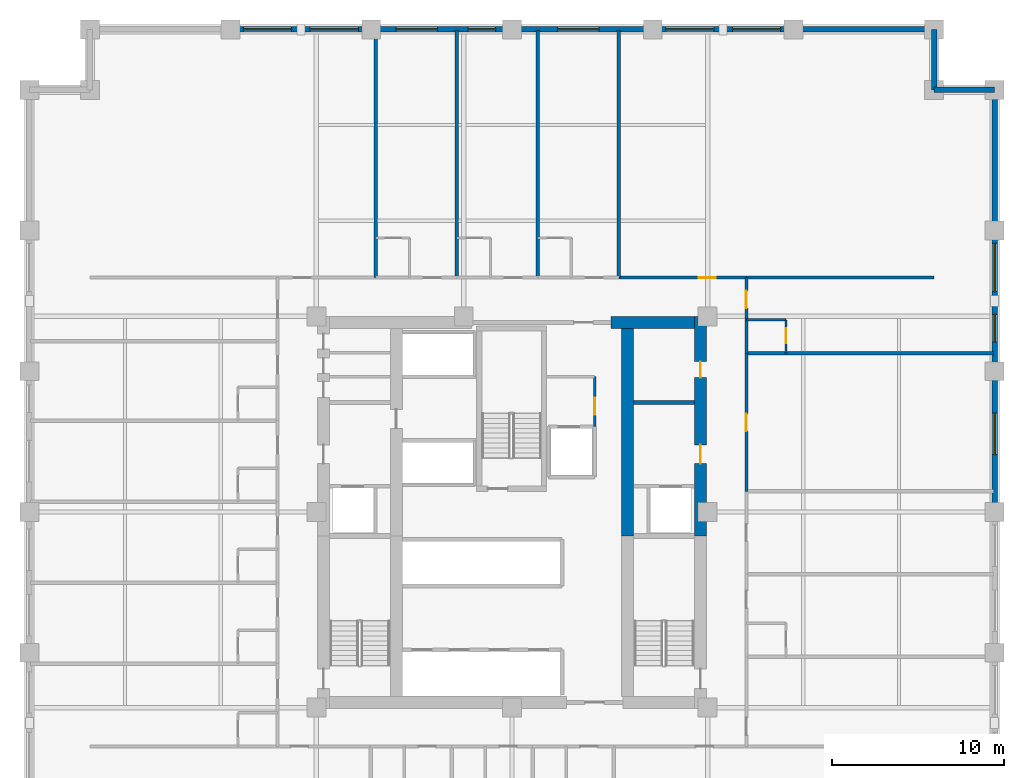
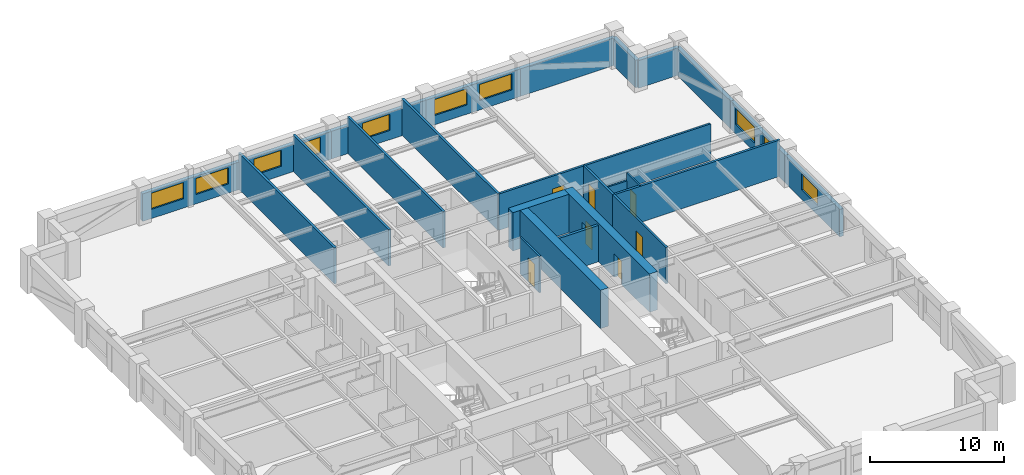
# One storey, part 6 of 8: 25 walls, 10 windows, 7 doors, 17 openings.
"""IFC4 building model written with IfcOpenShell, lengths in metres."""

from ifc_helpers import new_model, si_unit, direction, frame, frame_2d, origin, place, context, subcontext, project, spatial, rectangle, extrude, material, layer, layer_set, type_object, element, fill, save


model = new_model("IFC4")

# Units and contexts
model_context = context("Model", 3, precision=1e-05, world=origin(), true_north=direction((0.0, 1.0)))
body_context = subcontext(model_context, "Body", "Model", "MODEL_VIEW")
ifc_project = project(units=[si_unit("LENGTHUNIT", "METRE"), si_unit("AREAUNIT", "SQUARE_METRE"), si_unit("VOLUMEUNIT", "CUBIC_METRE"), si_unit("PLANEANGLEUNIT", "RADIAN"), si_unit("MASSUNIT", "GRAM", prefix="KILO")], contexts=[model_context])

# Site, building, storey
site_placement = place(None, origin())
site = spatial("IfcSite", under=ifc_project, at=site_placement, CompositionType="ELEMENT")
building_placement = place(site_placement, origin())
building = spatial("IfcBuilding", under=site, at=building_placement, Name="Nhamokura Convention Tower", CompositionType="ELEMENT")
storey_placement = place(building_placement, frame((0.0, 0.0, 45.85009765625)))
storey = spatial("IfcBuildingStorey", under=building, at=storey_placement, Name="L09", CompositionType="ELEMENT", Elevation=45.85009765625)

# Wall
ifc_material_1 = material(Name="Moisture-resistant tile-backer partition", Category="masonry")
ifc_layer_1 = layer(ifc_material_1, 0.139892578125)
ifc_layer_set_1 = layer_set([ifc_layer_1], Name="BathroomWetWall_140")
wall_type_1 = type_object("IfcWallType", Name="BathroomWetWall_140", PredefinedType="STANDARD", material=ifc_layer_set_1)
wall_1_placement = place(storey_placement, frame((45.60009765625, 43.14990234375, 0.0), z_axis=(0.0, 0.0, 1.0), x_axis=(1.0, 0.0, 0.0)))
element("IfcWall", 1, at=wall_1_placement, inside=storey, type_object=wall_type_1, Name="L09 Wall INT-L09-BW-E04N", PredefinedType="STANDARD", context=body_context, shape_type="SweptSolid", body=[
    extrude(rectangle(XDim=2.2998046875, YDim=0.139892578125, at=frame_2d((1.14990234375, 0.0))), origin(), (0.0, 0.0, 1.0), 2.614990234375),
])

# Wall, opening, door
wall_2_placement = place(storey_placement, frame((47.89990234375, 41.199951171875, 0.0), z_axis=(0.0, 0.0, 1.0), x_axis=(0.0, 1.0, 0.0)))
wall_2 = element("IfcWall", 2, at=wall_2_placement, inside=storey, type_object=wall_type_1, Name="L09 Wall INT-L09-BW-E04E", PredefinedType="STANDARD", context=body_context, shape_type="SweptSolid", body=[
    extrude(rectangle(XDim=1.949951171875, YDim=0.139892578125, at=frame_2d((0.97509765625, 0.0))), origin(), (0.0, 0.0, 1.0), 3.31982421875),
])
opening_1_placement = place(wall_2_placement, frame((0.580078125, 0.0, 0.0)))
opening_1 = element("IfcOpeningElement", 3, at=opening_1_placement, cuts=wall_2, Name="Opening D-11", PredefinedType="OPENING", context=body_context, shape_type="SweptSolid", body=[
    extrude(rectangle(XDim=0.8798828125, YDim=2.10009765625, at=frame_2d((0.43994140625, 1.050048828125))), frame((0.0, 0.079833984375, 0.0), z_axis=(0.0, -1.0, 0.0), x_axis=(1.0, 0.0, 0.0)), (0.0, 0.0, 1.0), 0.159912109375),
])
ifc_material_2 = material(Name="Solid oak hardwood", Category="wood")
door_type_1 = type_object("IfcDoorType", Name="BathroomDoor_880", OperationType="NOTDEFINED", PredefinedType="DOOR", material=ifc_material_2)
door_1_placement = place(opening_1_placement, origin())
door_1 = element("IfcDoor", 4, at=door_1_placement, inside=storey, type_object=door_type_1, Name="L09 Guest Room En-suite Door", OperationType="SINGLE_SWING_LEFT", OverallHeight=2.10009765625, OverallWidth=0.8798828125, PredefinedType="DOOR", context=body_context, shape_type="SweptSolid", body=[
    extrude(rectangle(XDim=0.8798828125, YDim=2.10009765625, at=frame_2d((0.43994140625, 1.050048828125))), frame((0.0, 0.02490234375, 0.0), z_axis=(0.0, -1.0, 0.0), x_axis=(1.0, 0.0, 0.0)), (0.0, 0.0, 1.0), 0.050048828125),
])
fill(opening_1, door_1)

# Wall, openings, windows
ifc_material_3 = material(Name="Bronze-pigmented precast concrete C45/55", Category="concrete")
ifc_layer_2 = layer(ifc_material_3, 0.320068359375)
ifc_layer_set_2 = layer_set([ifc_layer_2], Name="BronzePrecastSpandrel_320")
wall_type_2 = type_object("IfcWallType", Name="BronzePrecastSpandrel_320", PredefinedType="USERDEFINED", material=ifc_layer_set_2)
wall_3_placement = place(storey_placement, frame((15.666748046875, 60.0, 0.0), z_axis=(0.0, 0.0, 1.0), x_axis=(1.0, 0.0, 0.0)))
wall_3 = element("IfcWall", 5, at=wall_3_placement, inside=storey, type_object=wall_type_2, Name="L09 Masonry-Frame Wall NORTH 1", ObjectType="SPANDREL_WALL", PredefinedType="USERDEFINED", context=body_context, shape_type="SweptSolid", body=[
    extrude(rectangle(XDim=8.16650390625, YDim=0.320068359375, at=frame_2d((4.083251953125, 0.0))), origin(), (0.0, 0.0, 1.0), 2.52001953125),
])
opening_2_placement = place(wall_3_placement, frame((0.74169921875, 0.0, 0.85009765625)))
opening_2 = element("IfcOpeningElement", 6, at=opening_2_placement, cuts=wall_3, Name="Opening W-04", PredefinedType="OPENING", context=body_context, shape_type="SweptSolid", body=[
    extrude(rectangle(XDim=2.800048828125, YDim=1.469970703125, at=frame_2d((1.39990234375, 0.73486328125))), frame((0.0, 0.169921875, 0.0), z_axis=(0.0, -1.0, 0.0), x_axis=(1.0, 0.0, 0.0)), (0.0, 0.0, 1.0), 0.340087890625),
])
opening_3_placement = place(wall_3_placement, frame((4.625, 0.0, 0.85009765625)))
opening_3 = element("IfcOpeningElement", 7, at=opening_3_placement, cuts=wall_3, Name="Opening W-04", PredefinedType="OPENING", context=body_context, shape_type="SweptSolid", body=[
    extrude(rectangle(XDim=2.800048828125, YDim=1.469970703125, at=frame_2d((1.39990234375, 0.73486328125))), frame((0.0, 0.169921875, 0.0), z_axis=(0.0, -1.0, 0.0), x_axis=(1.0, 0.0, 0.0)), (0.0, 0.0, 1.0), 0.340087890625),
])
ifc_material_4 = material(Name="Solar-control bronze low-E double glass", Category="glass")
window_type_1 = type_object("IfcWindowType", Name="HotelSuiteWindow_2800", PartitioningType="DOUBLE_PANEL_VERTICAL", PredefinedType="WINDOW", material=ifc_material_4)
window_1_placement = place(opening_2_placement, origin())
window_1 = element("IfcWindow", 8, at=window_1_placement, inside=storey, type_object=window_type_1, Name="L09 Facade Window NORTH 1-1", OverallHeight=1.469970703125, OverallWidth=2.800048828125, PartitioningType="SINGLE_PANEL", PredefinedType="WINDOW", context=body_context, shape_type="SweptSolid", body=[
    extrude(rectangle(XDim=2.800048828125, YDim=1.469970703125, at=frame_2d((1.39990234375, 0.73486328125))), frame((0.0, 0.030029296875, 0.0), z_axis=(0.0, -1.0, 0.0), x_axis=(1.0, 0.0, 0.0)), (0.0, 0.0, 1.0), 0.06005859375),
])
fill(opening_2, window_1)
window_2_placement = place(opening_3_placement, origin())
window_2 = element("IfcWindow", 9, at=window_2_placement, inside=storey, type_object=window_type_1, Name="L09 Facade Window NORTH 1-2", OverallHeight=1.469970703125, OverallWidth=2.800048828125, PartitioningType="SINGLE_PANEL", PredefinedType="WINDOW", context=body_context, shape_type="SweptSolid", body=[
    extrude(rectangle(XDim=2.800048828125, YDim=1.469970703125, at=frame_2d((1.39990234375, 0.73486328125))), frame((0.0, 0.030029296875, 0.0), z_axis=(0.0, -1.0, 0.0), x_axis=(1.0, 0.0, 0.0)), (0.0, 0.0, 1.0), 0.06005859375),
])
fill(opening_3, window_2)

wall_4_placement = place(storey_placement, frame((23.833251953125, 60.0, 0.0), z_axis=(0.0, 0.0, 1.0), x_axis=(1.0, 0.0, 0.0)))
wall_4 = element("IfcWall", 10, at=wall_4_placement, inside=storey, type_object=wall_type_2, Name="L09 Masonry-Frame Wall NORTH 2", ObjectType="SPANDREL_WALL", PredefinedType="USERDEFINED", context=body_context, shape_type="SweptSolid", body=[
    extrude(rectangle(XDim=8.166748046875, YDim=0.320068359375, at=frame_2d((4.08349609375, 0.0))), origin(), (0.0, 0.0, 1.0), 2.52001953125),
])
opening_4_placement = place(wall_4_placement, frame((1.433349609375, 0.0, 0.85009765625)))
opening_4 = element("IfcOpeningElement", 11, at=opening_4_placement, cuts=wall_4, Name="Opening W-03", PredefinedType="OPENING", context=body_context, shape_type="SweptSolid", body=[
    extrude(rectangle(XDim=2.39990234375, YDim=1.469970703125, at=frame_2d((1.199951171875, 0.73486328125))), frame((0.0, 0.169921875, 0.0), z_axis=(0.0, -1.0, 0.0), x_axis=(1.0, 0.0, 0.0)), (0.0, 0.0, 1.0), 0.340087890625),
])
opening_5_placement = place(wall_4_placement, frame((5.61669921875, 0.0, 0.85009765625)))
opening_5 = element("IfcOpeningElement", 12, at=opening_5_placement, cuts=wall_4, Name="Opening W-11", PredefinedType="OPENING", context=body_context, shape_type="SweptSolid", body=[
    extrude(rectangle(XDim=1.60009765625, YDim=1.469970703125, at=frame_2d((0.800048828125, 0.73486328125))), frame((0.0, 0.169921875, 0.0), z_axis=(0.0, -1.0, 0.0), x_axis=(1.0, 0.0, 0.0)), (0.0, 0.0, 1.0), 0.340087890625),
])
ifc_material_5 = material(Name="Solar-control bronze low-E double glass", Category="glass")
window_type_2 = type_object("IfcWindowType", Name="HotelBayWindow_2400", PartitioningType="DOUBLE_PANEL_VERTICAL", PredefinedType="WINDOW", material=ifc_material_5)
window_3_placement = place(opening_4_placement, origin())
window_3 = element("IfcWindow", 13, at=window_3_placement, inside=storey, type_object=window_type_2, Name="L09 Facade Window NORTH 2-1", OverallHeight=1.469970703125, OverallWidth=2.39990234375, PartitioningType="SINGLE_PANEL", PredefinedType="WINDOW", context=body_context, shape_type="SweptSolid", body=[
    extrude(rectangle(XDim=2.39990234375, YDim=1.469970703125, at=frame_2d((1.199951171875, 0.73486328125))), frame((0.0, 0.030029296875, 0.0), z_axis=(0.0, -1.0, 0.0), x_axis=(1.0, 0.0, 0.0)), (0.0, 0.0, 1.0), 0.06005859375),
])
fill(opening_4, window_3)
ifc_material_6 = material(Name="Solar-control bronze low-E double glass", Category="glass")
window_type_3 = type_object("IfcWindowType", Name="NotchCornerWindow_1600", PartitioningType="SINGLE_PANEL", PredefinedType="WINDOW", material=ifc_material_6)
window_4_placement = place(opening_5_placement, origin())
window_4 = element("IfcWindow", 14, at=window_4_placement, inside=storey, type_object=window_type_3, Name="L09 Facade Window NORTH 2-2", OverallHeight=1.469970703125, OverallWidth=1.60009765625, PartitioningType="SINGLE_PANEL", PredefinedType="WINDOW", context=body_context, shape_type="SweptSolid", body=[
    extrude(rectangle(XDim=1.60009765625, YDim=1.469970703125, at=frame_2d((0.800048828125, 0.73486328125))), frame((0.0, 0.030029296875, 0.0), z_axis=(0.0, -1.0, 0.0), x_axis=(1.0, 0.0, 0.0)), (0.0, 0.0, 1.0), 0.06005859375),
])
fill(opening_5, window_4)

# Wall, opening, window
wall_5_placement = place(storey_placement, frame((32.0, 60.0, 0.0), z_axis=(0.0, 0.0, 1.0), x_axis=(1.0, 0.0, 0.0)))
wall_5 = element("IfcWall", 15, at=wall_5_placement, inside=storey, type_object=wall_type_2, Name="L09 Masonry-Frame Wall NORTH 3", ObjectType="SPANDREL_WALL", PredefinedType="USERDEFINED", context=body_context, shape_type="SweptSolid", body=[
    extrude(rectangle(XDim=8.166748046875, YDim=0.320068359375, at=frame_2d((4.08349609375, 0.0))), origin(), (0.0, 0.0, 1.0), 2.52001953125),
])
opening_6_placement = place(wall_5_placement, frame((2.64990234375, 0.0, 0.85009765625)))
opening_6 = element("IfcOpeningElement", 16, at=opening_6_placement, cuts=wall_5, Name="Opening W-03", PredefinedType="OPENING", context=body_context, shape_type="SweptSolid", body=[
    extrude(rectangle(XDim=2.39990234375, YDim=1.469970703125, at=frame_2d((1.199951171875, 0.73486328125))), frame((0.0, 0.169921875, 0.0), z_axis=(0.0, -1.0, 0.0), x_axis=(1.0, 0.0, 0.0)), (0.0, 0.0, 1.0), 0.340087890625),
])
window_5_placement = place(opening_6_placement, origin())
window_5 = element("IfcWindow", 17, at=window_5_placement, inside=storey, type_object=window_type_2, Name="L09 Facade Window NORTH 3-2", OverallHeight=1.469970703125, OverallWidth=2.39990234375, PartitioningType="SINGLE_PANEL", PredefinedType="WINDOW", context=body_context, shape_type="SweptSolid", body=[
    extrude(rectangle(XDim=2.39990234375, YDim=1.469970703125, at=frame_2d((1.199951171875, 0.73486328125))), frame((0.0, 0.030029296875, 0.0), z_axis=(0.0, -1.0, 0.0), x_axis=(1.0, 0.0, 0.0)), (0.0, 0.0, 1.0), 0.06005859375),
])
fill(opening_6, window_5)

# Wall, openings, windows
wall_6_placement = place(storey_placement, frame((40.166748046875, 60.0, 0.0), z_axis=(0.0, 0.0, 1.0), x_axis=(1.0, 0.0, 0.0)))
wall_6 = element("IfcWall", 18, at=wall_6_placement, inside=storey, type_object=wall_type_2, Name="L09 Masonry-Frame Wall NORTH 4", ObjectType="SPANDREL_WALL", PredefinedType="USERDEFINED", context=body_context, shape_type="SweptSolid", body=[
    extrude(rectangle(XDim=8.16650390625, YDim=0.320068359375, at=frame_2d((4.083251953125, 0.0))), origin(), (0.0, 0.0, 1.0), 2.52001953125),
])
opening_7_placement = place(wall_6_placement, frame((0.74169921875, 0.0, 0.85009765625)))
opening_7 = element("IfcOpeningElement", 19, at=opening_7_placement, cuts=wall_6, Name="Opening W-04", PredefinedType="OPENING", context=body_context, shape_type="SweptSolid", body=[
    extrude(rectangle(XDim=2.800048828125, YDim=1.469970703125, at=frame_2d((1.39990234375, 0.73486328125))), frame((0.0, 0.169921875, 0.0), z_axis=(0.0, -1.0, 0.0), x_axis=(1.0, 0.0, 0.0)), (0.0, 0.0, 1.0), 0.340087890625),
])
opening_8_placement = place(wall_6_placement, frame((4.625, 0.0, 0.85009765625)))
opening_8 = element("IfcOpeningElement", 20, at=opening_8_placement, cuts=wall_6, Name="Opening W-04", PredefinedType="OPENING", context=body_context, shape_type="SweptSolid", body=[
    extrude(rectangle(XDim=2.800048828125, YDim=1.469970703125, at=frame_2d((1.39990234375, 0.73486328125))), frame((0.0, 0.169921875, 0.0), z_axis=(0.0, -1.0, 0.0), x_axis=(1.0, 0.0, 0.0)), (0.0, 0.0, 1.0), 0.340087890625),
])
window_6_placement = place(opening_7_placement, origin())
window_6 = element("IfcWindow", 21, at=window_6_placement, inside=storey, type_object=window_type_1, Name="L09 Facade Window NORTH 4-1", OverallHeight=1.469970703125, OverallWidth=2.800048828125, PartitioningType="SINGLE_PANEL", PredefinedType="WINDOW", context=body_context, shape_type="SweptSolid", body=[
    extrude(rectangle(XDim=2.800048828125, YDim=1.469970703125, at=frame_2d((1.39990234375, 0.73486328125))), frame((0.0, 0.030029296875, 0.0), z_axis=(0.0, -1.0, 0.0), x_axis=(1.0, 0.0, 0.0)), (0.0, 0.0, 1.0), 0.06005859375),
])
fill(opening_7, window_6)
window_7_placement = place(opening_8_placement, origin())
window_7 = element("IfcWindow", 22, at=window_7_placement, inside=storey, type_object=window_type_1, Name="L09 Facade Window NORTH 4-2", OverallHeight=1.469970703125, OverallWidth=2.800048828125, PartitioningType="SINGLE_PANEL", PredefinedType="WINDOW", context=body_context, shape_type="SweptSolid", body=[
    extrude(rectangle(XDim=2.800048828125, YDim=1.469970703125, at=frame_2d((1.39990234375, 0.73486328125))), frame((0.0, 0.030029296875, 0.0), z_axis=(0.0, -1.0, 0.0), x_axis=(1.0, 0.0, 0.0)), (0.0, 0.0, 1.0), 0.06005859375),
])
fill(opening_8, window_7)

# Wall
wall_7_placement = place(storey_placement, frame((48.333251953125, 60.0, 0.0), z_axis=(0.0, 0.0, 1.0), x_axis=(1.0, 0.0, 0.0)))
element("IfcWall", 23, at=wall_7_placement, inside=storey, type_object=wall_type_2, Name="L09 Braced-Bay Precast Wall NORTH 5", ObjectType="SPANDREL_WALL", PredefinedType="USERDEFINED", context=body_context, shape_type="SweptSolid", body=[
    extrude(rectangle(XDim=8.166748046875, YDim=0.320068359375, at=frame_2d((4.08349609375, 0.0))), origin(), (0.0, 0.0, 1.0), 2.52001953125),
])

# Wall, opening, window
wall_8_placement = place(storey_placement, frame((60.0, 40.166748046875, 0.0), z_axis=(0.0, 0.0, 1.0), x_axis=(0.0, -1.0, 0.0)))
wall_8 = element("IfcWall", 24, at=wall_8_placement, inside=storey, type_object=wall_type_2, Name="L09 Masonry-Frame Wall EAST 3", ObjectType="SPANDREL_WALL", PredefinedType="USERDEFINED", context=body_context, shape_type="SweptSolid", body=[
    extrude(rectangle(XDim=8.166748046875, YDim=0.320068359375, at=frame_2d((4.08349609375, 0.0))), origin(), (0.0, 0.0, 1.0), 2.52001953125),
])
opening_9_placement = place(wall_8_placement, frame((2.433349609375, 0.0, 0.85009765625)))
opening_9 = element("IfcOpeningElement", 25, at=opening_9_placement, cuts=wall_8, Name="Opening W-03", PredefinedType="OPENING", context=body_context, shape_type="SweptSolid", body=[
    extrude(rectangle(XDim=2.39990234375, YDim=1.469970703125, at=frame_2d((1.199951171875, 0.73486328125))), frame((0.0, 0.169921875, 0.0), z_axis=(0.0, -1.0, 0.0), x_axis=(1.0, 0.0, 0.0)), (0.0, 0.0, 1.0), 0.340087890625),
])
window_8_placement = place(opening_9_placement, origin())
window_8 = element("IfcWindow", 26, at=window_8_placement, inside=storey, type_object=window_type_2, Name="L09 Facade Window EAST 3-1", OverallHeight=1.469970703125, OverallWidth=2.39990234375, PartitioningType="SINGLE_PANEL", PredefinedType="WINDOW", context=body_context, shape_type="SweptSolid", body=[
    extrude(rectangle(XDim=2.39990234375, YDim=1.469970703125, at=frame_2d((1.199951171875, 0.73486328125))), frame((0.0, 0.030029296875, 0.0), z_axis=(0.0, -1.0, 0.0), x_axis=(1.0, 0.0, 0.0)), (0.0, 0.0, 1.0), 0.06005859375),
])
fill(opening_9, window_8)

# Wall, openings, windows
wall_9_placement = place(storey_placement, frame((60.0, 48.333251953125, 0.0), z_axis=(0.0, 0.0, 1.0), x_axis=(0.0, -1.0, 0.0)))
wall_9 = element("IfcWall", 27, at=wall_9_placement, inside=storey, type_object=wall_type_2, Name="L09 Masonry-Frame Wall EAST 4", ObjectType="SPANDREL_WALL", PredefinedType="USERDEFINED", context=body_context, shape_type="SweptSolid", body=[
    extrude(rectangle(XDim=8.16650390625, YDim=0.320068359375, at=frame_2d((4.083251953125, 0.0))), origin(), (0.0, 0.0, 1.0), 2.52001953125),
])
opening_10_placement = place(wall_9_placement, frame((0.74169921875, 0.0, 0.85009765625)))
opening_10 = element("IfcOpeningElement", 28, at=opening_10_placement, cuts=wall_9, Name="Opening W-04", PredefinedType="OPENING", context=body_context, shape_type="SweptSolid", body=[
    extrude(rectangle(XDim=2.800048828125, YDim=1.469970703125, at=frame_2d((1.39990234375, 0.73486328125))), frame((0.0, 0.169921875, 0.0), z_axis=(0.0, -1.0, 0.0), x_axis=(1.0, 0.0, 0.0)), (0.0, 0.0, 1.0), 0.340087890625),
])
opening_11_placement = place(wall_9_placement, frame((4.8583984375, 0.0, 0.85009765625)))
opening_11 = element("IfcOpeningElement", 29, at=opening_11_placement, cuts=wall_9, Name="Opening W-11", PredefinedType="OPENING", context=body_context, shape_type="SweptSolid", body=[
    extrude(rectangle(XDim=1.60009765625, YDim=1.469970703125, at=frame_2d((0.800048828125, 0.73486328125))), frame((0.0, 0.169921875, 0.0), z_axis=(0.0, -1.0, 0.0), x_axis=(1.0, 0.0, 0.0)), (0.0, 0.0, 1.0), 0.340087890625),
])
window_9_placement = place(opening_10_placement, origin())
window_9 = element("IfcWindow", 30, at=window_9_placement, inside=storey, type_object=window_type_1, Name="L09 Facade Window EAST 4-1", OverallHeight=1.469970703125, OverallWidth=2.800048828125, PartitioningType="SINGLE_PANEL", PredefinedType="WINDOW", context=body_context, shape_type="SweptSolid", body=[
    extrude(rectangle(XDim=2.800048828125, YDim=1.469970703125, at=frame_2d((1.39990234375, 0.73486328125))), frame((0.0, 0.030029296875, 0.0), z_axis=(0.0, -1.0, 0.0), x_axis=(1.0, 0.0, 0.0)), (0.0, 0.0, 1.0), 0.06005859375),
])
fill(opening_10, window_9)
window_10_placement = place(opening_11_placement, origin())
window_10 = element("IfcWindow", 31, at=window_10_placement, inside=storey, type_object=window_type_3, Name="L09 Facade Window EAST 4-2", OverallHeight=1.469970703125, OverallWidth=1.60009765625, PartitioningType="SINGLE_PANEL", PredefinedType="WINDOW", context=body_context, shape_type="SweptSolid", body=[
    extrude(rectangle(XDim=1.60009765625, YDim=1.469970703125, at=frame_2d((0.800048828125, 0.73486328125))), frame((0.0, 0.030029296875, 0.0), z_axis=(0.0, -1.0, 0.0), x_axis=(1.0, 0.0, 0.0)), (0.0, 0.0, 1.0), 0.06005859375),
])
fill(opening_11, window_10)

# Walls
wall_10_placement = place(storey_placement, frame((60.0, 56.5, 0.0), z_axis=(0.0, 0.0, 1.0), x_axis=(0.0, -1.0, 0.0)))
element("IfcWall", 32, at=wall_10_placement, inside=storey, type_object=wall_type_2, Name="L09 Braced-Bay Precast Wall EAST 5", ObjectType="SPANDREL_WALL", PredefinedType="USERDEFINED", context=body_context, shape_type="SweptSolid", body=[
    extrude(rectangle(XDim=8.166748046875, YDim=0.320068359375, at=frame_2d((4.08349609375, 0.0))), origin(), (0.0, 0.0, 1.0), 2.52001953125),
])
for number, where, z_axis, x_axis, name in (
    (33, (56.5, 56.5, 0.0), (0.0, 0.0, 1.0), (1.0, 0.0, 0.0), "L09 Notched Corner Wall NE1"),
    (34, (56.5, 60.0, 0.0), (0.0, 0.0, 1.0), (0.0, -1.0, 0.0), "L09 Notched Corner Wall NE2"),
):
    element("IfcWall", number, at=place(storey_placement, frame(where, z_axis=z_axis, x_axis=x_axis)), inside=storey, type_object=wall_type_2, Name=name, ObjectType="SPANDREL_WALL", PredefinedType="USERDEFINED", context=body_context, shape_type="SweptSolid", body=[
        extrude(rectangle(XDim=3.5, YDim=0.320068359375, at=frame_2d((1.75, 0.0))), origin(), (0.0, 0.0, 1.0), 2.52001953125),
    ])

# Wall, openings, doors
ifc_material_7 = material(Name="Concrete C70/85", Category="concrete")
ifc_layer_3 = layer(ifc_material_7, 0.699951171875)
ifc_layer_set_3 = layer_set([ifc_layer_3], Name="CoreShearWall_700")
wall_type_3 = type_object("IfcWallType", Name="CoreShearWall_700", PredefinedType="SHEAR", material=ifc_layer_set_3)
wall_11_placement = place(storey_placement, frame((42.93994140625, 30.60009765625, 0.0), z_axis=(0.0, 0.0, 1.0), x_axis=(0.0, 1.0, 0.0)))
wall_11 = element("IfcWall", 35, at=wall_11_placement, inside=storey, type_object=wall_type_3, Name="L09 Core Shear Wall CW-EN", PredefinedType="SHEAR", context=body_context, shape_type="SweptSolid", body=[
    extrude(rectangle(XDim=12.75, YDim=0.699951171875, at=frame_2d((6.375, 0.0))), origin(), (0.0, 0.0, 1.0), 3.5),
])
opening_12_placement = place(wall_11_placement, frame((4.199951171875, 0.0, 0.0)))
opening_12 = element("IfcOpeningElement", 36, at=opening_12_placement, cuts=wall_11, Name="Opening D-05", PredefinedType="OPENING", context=body_context, shape_type="SweptSolid", body=[
    extrude(rectangle(XDim=1.10009765625, YDim=2.14990234375, at=frame_2d((0.550048828125, 1.074951171875))), frame((0.0, 0.35986328125, 0.0), z_axis=(0.0, -1.0, 0.0), x_axis=(1.0, 0.0, 0.0)), (0.0, 0.0, 1.0), 0.719970703125),
])
opening_13_placement = place(wall_11_placement, frame((9.199951171875, 0.0, 0.0)))
opening_13 = element("IfcOpeningElement", 37, at=opening_13_placement, cuts=wall_11, Name="Opening D-10", PredefinedType="OPENING", context=body_context, shape_type="SweptSolid", body=[
    extrude(rectangle(XDim=0.919921875, YDim=2.10009765625, at=frame_2d((0.4599609375, 1.050048828125))), frame((0.0, 0.35986328125, 0.0), z_axis=(0.0, -1.0, 0.0), x_axis=(1.0, 0.0, 0.0)), (0.0, 0.0, 1.0), 0.719970703125),
])
ifc_material_8 = material(Name="Solid oak hardwood", Category="wood")
door_type_2 = type_object("IfcDoorType", Name="AccessibleWCDoor_920", OperationType="NOTDEFINED", PredefinedType="DOOR", material=ifc_material_8)
door_2_placement = place(opening_13_placement, origin())
door_2 = element("IfcDoor", 38, at=door_2_placement, inside=storey, type_object=door_type_2, Name="L09 Core Door INT-L09-D-UWC", OperationType="SINGLE_SWING_RIGHT", OverallHeight=2.10009765625, OverallWidth=0.919921875, PredefinedType="DOOR", context=body_context, shape_type="SweptSolid", body=[
    extrude(rectangle(XDim=0.919921875, YDim=2.10009765625, at=frame_2d((0.4599609375, 1.050048828125))), frame((0.0, 0.02490234375, 0.0), z_axis=(0.0, -1.0, 0.0), x_axis=(1.0, 0.0, 0.0)), (0.0, 0.0, 1.0), 0.050048828125),
])
fill(opening_13, door_2)
ifc_material_9 = material(Name="Fire-rated steel door", Category="steel")
door_type_3 = type_object("IfcDoorType", Name="FireLobbyDoor_1100", OperationType="NOTDEFINED", PredefinedType="DOOR", material=ifc_material_9)
door_3_placement = place(opening_12_placement, origin())
door_3 = element("IfcDoor", 39, at=door_3_placement, inside=storey, type_object=door_type_3, Name="L09 Core Door INT-L09-D-FFLE", OperationType="SINGLE_SWING_LEFT", OverallHeight=2.14990234375, OverallWidth=1.10009765625, PredefinedType="DOOR", context=body_context, shape_type="SweptSolid", body=[
    extrude(rectangle(XDim=1.10009765625, YDim=2.14990234375, at=frame_2d((0.550048828125, 1.074951171875))), frame((0.0, 0.02490234375, 0.0), z_axis=(0.0, -1.0, 0.0), x_axis=(1.0, 0.0, 0.0)), (0.0, 0.0, 1.0), 0.050048828125),
])
fill(opening_12, door_3)

# Walls
wall_12_placement = place(storey_placement, frame((37.75, 43.0, 0.0), z_axis=(0.0, 0.0, 1.0), x_axis=(1.0, 0.0, 0.0)))
element("IfcWall", 40, at=wall_12_placement, inside=storey, type_object=wall_type_3, Name="L09 Core Shear Wall CW-N2", PredefinedType="SHEAR", context=body_context, shape_type="SweptSolid", body=[
    extrude(rectangle(XDim=4.840087890625, YDim=0.699951171875, at=frame_2d((2.419921875, 0.0))), origin(), (0.0, 0.0, 1.0), 3.5),
])
wall_13_placement = place(storey_placement, frame((38.7099609375, 30.60009765625, 0.0), z_axis=(0.0, 0.0, 1.0), x_axis=(0.0, 1.0, 0.0)))
element("IfcWall", 41, at=wall_13_placement, inside=storey, type_object=wall_type_3, Name="L09 Core Shear Wall CW-IEN", PredefinedType="SHEAR", context=body_context, shape_type="SweptSolid", body=[
    extrude(rectangle(XDim=12.0498046875, YDim=0.699951171875, at=frame_2d((6.02490234375, 0.0))), origin(), (0.0, 0.0, 1.0), 3.5),
])

# Wall, opening, door
ifc_material_10 = material(Name="Fire-rated gypsum and masonry partition", Category="masonry")
ifc_layer_4 = layer(ifc_material_10, 0.179931640625)
ifc_layer_set_4 = layer_set([ifc_layer_4], Name="CorridorRatedWall_180")
wall_type_4 = type_object("IfcWallType", Name="CorridorRatedWall_180", PredefinedType="STANDARD", material=ifc_layer_set_4)
wall_14_placement = place(storey_placement, frame((38.199951171875, 45.60009765625, 0.0), z_axis=(0.0, 0.0, 1.0), x_axis=(1.0, 0.0, 0.0)))
wall_14 = element("IfcWall", 42, at=wall_14_placement, inside=storey, type_object=wall_type_4, Name="L09 Wall INT-L09-CW-N04", PredefinedType="STANDARD", context=body_context, shape_type="SweptSolid", body=[
    extrude(rectangle(XDim=18.300048828125, YDim=0.179931640625, at=frame_2d((9.14990234375, 0.0))), origin(), (0.0, 0.0, 1.0), 3.31982421875),
])
opening_14_placement = place(wall_14_placement, frame((4.625, 0.0, 0.0)))
opening_14 = element("IfcOpeningElement", 43, at=opening_14_placement, cuts=wall_14, Name="Opening D-07", PredefinedType="OPENING", context=body_context, shape_type="SweptSolid", body=[
    extrude(rectangle(XDim=1.0, YDim=2.14990234375, at=frame_2d((0.5, 1.074951171875))), frame((0.0, 0.099853515625, 0.0), z_axis=(0.0, -1.0, 0.0), x_axis=(1.0, 0.0, 0.0)), (0.0, 0.0, 1.0), 0.199951171875),
])
ifc_material_11 = material(Name="Solid oak hardwood", Category="wood")
door_type_4 = type_object("IfcDoorType", Name="HotelSuiteEntryDoor_1000", OperationType="NOTDEFINED", PredefinedType="DOOR", material=ifc_material_11)
door_4_placement = place(opening_14_placement, origin())
door_4 = element("IfcDoor", 44, at=door_4_placement, inside=storey, type_object=door_type_4, Name="L09 Conference Salon N05 Door", OperationType="SINGLE_SWING_LEFT", OverallHeight=2.14990234375, OverallWidth=1.0, PredefinedType="DOOR", context=body_context, shape_type="SweptSolid", body=[
    extrude(rectangle(XDim=1.0, YDim=2.14990234375, at=frame_2d((0.5, 1.074951171875))), frame((0.0, 0.02490234375, 0.0), z_axis=(0.0, -1.0, 0.0), x_axis=(1.0, 0.0, 0.0)), (0.0, 0.0, 1.0), 0.050048828125),
])
fill(opening_14, door_4)

wall_15_placement = place(storey_placement, frame((45.60009765625, 33.199951171875, 0.0), z_axis=(0.0, 0.0, 1.0), x_axis=(0.0, 1.0, 0.0)))
wall_15 = element("IfcWall", 45, at=wall_15_placement, inside=storey, type_object=wall_type_4, Name="L09 Wall INT-L09-CW-E03", PredefinedType="STANDARD", context=body_context, shape_type="SweptSolid", body=[
    extrude(rectangle(XDim=8.0, YDim=0.179931640625, at=frame_2d((4.0, 0.0))), origin(), (0.0, 0.0, 1.0), 3.31982421875),
])
opening_15_placement = place(wall_15_placement, frame((3.5, 0.0, 0.0)))
opening_15 = element("IfcOpeningElement", 46, at=opening_15_placement, cuts=wall_15, Name="Opening D-07", PredefinedType="OPENING", context=body_context, shape_type="SweptSolid", body=[
    extrude(rectangle(XDim=1.0, YDim=2.14990234375, at=frame_2d((0.5, 1.074951171875))), frame((0.0, 0.099853515625, 0.0), z_axis=(0.0, -1.0, 0.0), x_axis=(1.0, 0.0, 0.0)), (0.0, 0.0, 1.0), 0.199951171875),
])
door_5_placement = place(opening_15_placement, origin())
door_5 = element("IfcDoor", 47, at=door_5_placement, inside=storey, type_object=door_type_4, Name="L09 Conference Salon E04 Door", OperationType="SINGLE_SWING_RIGHT", OverallHeight=2.14990234375, OverallWidth=1.0, PredefinedType="DOOR", context=body_context, shape_type="SweptSolid", body=[
    extrude(rectangle(XDim=1.0, YDim=2.14990234375, at=frame_2d((0.5, 1.074951171875))), frame((0.0, 0.02490234375, 0.0), z_axis=(0.0, -1.0, 0.0), x_axis=(1.0, 0.0, 0.0)), (0.0, 0.0, 1.0), 0.050048828125),
])
fill(opening_15, door_5)

wall_16_placement = place(storey_placement, frame((45.60009765625, 41.199951171875, 0.0), z_axis=(0.0, 0.0, 1.0), x_axis=(0.0, 1.0, 0.0)))
wall_16 = element("IfcWall", 48, at=wall_16_placement, inside=storey, type_object=wall_type_4, Name="L09 Wall INT-L09-CW-E04", PredefinedType="STANDARD", context=body_context, shape_type="SweptSolid", body=[
    extrude(rectangle(XDim=4.400146484375, YDim=0.179931640625, at=frame_2d((2.2001953125, 0.0))), origin(), (0.0, 0.0, 1.0), 3.31982421875),
])
opening_16_placement = place(wall_16_placement, frame((2.625, 0.0, 0.0)))
opening_16 = element("IfcOpeningElement", 49, at=opening_16_placement, cuts=wall_16, Name="Opening D-07", PredefinedType="OPENING", context=body_context, shape_type="SweptSolid", body=[
    extrude(rectangle(XDim=1.0, YDim=2.14990234375, at=frame_2d((0.5, 1.074951171875))), frame((0.0, 0.099853515625, 0.0), z_axis=(0.0, -1.0, 0.0), x_axis=(1.0, 0.0, 0.0)), (0.0, 0.0, 1.0), 0.199951171875),
])
door_6_placement = place(opening_16_placement, origin())
door_6 = element("IfcDoor", 50, at=door_6_placement, inside=storey, type_object=door_type_4, Name="L09 Guest Room E05 Door", OperationType="SINGLE_SWING_LEFT", OverallHeight=2.14990234375, OverallWidth=1.0, PredefinedType="DOOR", context=body_context, shape_type="SweptSolid", body=[
    extrude(rectangle(XDim=1.0, YDim=2.14990234375, at=frame_2d((0.5, 1.074951171875))), frame((0.0, 0.02490234375, 0.0), z_axis=(0.0, -1.0, 0.0), x_axis=(1.0, 0.0, 0.0)), (0.0, 0.0, 1.0), 0.050048828125),
])
fill(opening_16, door_6)

# Walls
ifc_material_12 = material(Name="Autoclaved concrete blockwork", Category="masonry")
ifc_layer_5 = layer(ifc_material_12, 0.219970703125)
ifc_layer_set_5 = layer_set([ifc_layer_5], Name="FireLobbyWall_220")
wall_type_5 = type_object("IfcWallType", Name="FireLobbyWall_220", PredefinedType="STANDARD", material=ifc_layer_set_5)
wall_17_placement = place(storey_placement, frame((39.06005859375, 38.35009765625, 0.0), z_axis=(0.0, 0.0, 1.0), x_axis=(1.0, 0.0, 0.0)))
element("IfcWall", 51, at=wall_17_placement, inside=storey, type_object=wall_type_5, Name="L09 Wall INT-L09-FFE-N", PredefinedType="STANDARD", context=body_context, shape_type="SweptSolid", body=[
    extrude(rectangle(XDim=3.530029296875, YDim=0.219970703125, at=frame_2d((1.76513671875, 0.0))), origin(), (0.0, 0.0, 1.0), 3.31982421875),
])
ifc_material_13 = material(Name="Acoustic twin-stud gypsum partition", Category="masonry")
ifc_layer_6 = layer(ifc_material_13, 0.199951171875)
ifc_layer_set_6 = layer_set([ifc_layer_6], Name="HotelDemisingWall_200")
wall_type_6 = type_object("IfcWallType", Name="HotelDemisingWall_200", PredefinedType="STANDARD", material=ifc_layer_set_6)
for number, where, z_axis, x_axis, name in (
    (52, (24.10009765625, 45.60009765625, 0.0), (0.0, 0.0, 1.0), (0.0, 1.0, 0.0), "L09 Wall INT-L09-RW-N01"),
    (53, (28.800048828125, 45.60009765625, 0.0), (0.0, 0.0, 1.0), (0.0, 1.0, 0.0), "L09 Wall INT-L09-RW-N02"),
    (54, (33.5, 45.60009765625, 0.0), (0.0, 0.0, 1.0), (0.0, 1.0, 0.0), "L09 Wall INT-L09-RW-N03"),
    (55, (38.199951171875, 45.60009765625, 0.0), (0.0, 0.0, 1.0), (0.0, 1.0, 0.0), "L09 Wall INT-L09-RW-N04"),
    (56, (45.60009765625, 41.199951171875, 0.0), (0.0, 0.0, 1.0), (1.0, 0.0, 0.0), "L09 Wall INT-L09-RW-E04"),
):
    element("IfcWall", number, at=place(storey_placement, frame(where, z_axis=z_axis, x_axis=x_axis)), inside=storey, type_object=wall_type_6, Name=name, PredefinedType="STANDARD", context=body_context, shape_type="SweptSolid", body=[
        extrude(rectangle(XDim=14.33984375, YDim=0.199951171875, at=frame_2d((7.169921875, 0.0))), origin(), (0.0, 0.0, 1.0), 3.31982421875),
    ])

# Wall, opening, door
ifc_material_14 = material(Name="Acoustic gypsum stud partition", Category="masonry")
ifc_layer_7 = layer(ifc_material_14, 0.14990234375)
ifc_layer_set_7 = layer_set([ifc_layer_7], Name="InteriorPartition_150")
wall_type_7 = type_object("IfcWallType", Name="InteriorPartition_150", PredefinedType="STANDARD", material=ifc_layer_set_7)
wall_18_placement = place(storey_placement, frame((36.800048828125, 36.949951171875, 0.0), z_axis=(0.0, 0.0, 1.0), x_axis=(0.0, 1.0, 0.0)))
wall_18 = element("IfcWall", 57, at=wall_18_placement, inside=storey, type_object=wall_type_7, Name="L09 Wall INT-L09-NE-TELE", PredefinedType="STANDARD", context=body_context, shape_type="SweptSolid", body=[
    extrude(rectangle(XDim=2.900146484375, YDim=0.14990234375, at=frame_2d((1.4501953125, 0.0))), origin(), (0.0, 0.0, 1.0), 3.31982421875),
])
opening_17_placement = place(wall_18_placement, frame((0.699951171875, 0.0, 0.0)))
opening_17 = element("IfcOpeningElement", 58, at=opening_17_placement, cuts=wall_18, Name="Opening D-08", PredefinedType="OPENING", context=body_context, shape_type="SweptSolid", body=[
    extrude(rectangle(XDim=0.97998046875, YDim=2.199951171875, at=frame_2d((0.489990234375, 1.10009765625))), frame((0.0, 0.0849609375, 0.0), z_axis=(0.0, -1.0, 0.0), x_axis=(1.0, 0.0, 0.0)), (0.0, 0.0, 1.0), 0.169921875),
])
ifc_material_15 = material(Name="Solid oak hardwood", Category="wood")
door_type_5 = type_object("IfcDoorType", Name="OfficeEntryDoor_980", OperationType="NOTDEFINED", PredefinedType="DOOR", material=ifc_material_15)
door_7_placement = place(opening_17_placement, origin())
door_7 = element("IfcDoor", 59, at=door_7_placement, inside=storey, type_object=door_type_5, Name="L09 Core Telecom Door", OperationType="SINGLE_SWING_LEFT", OverallHeight=2.199951171875, OverallWidth=0.97998046875, PredefinedType="DOOR", context=body_context, shape_type="SweptSolid", body=[
    extrude(rectangle(XDim=0.97998046875, YDim=2.199951171875, at=frame_2d((0.489990234375, 1.10009765625))), frame((0.0, 0.02490234375, 0.0), z_axis=(0.0, -1.0, 0.0), x_axis=(1.0, 0.0, 0.0)), (0.0, 0.0, 1.0), 0.050048828125),
])
fill(opening_17, door_7)

save(model, "model.ifc")
